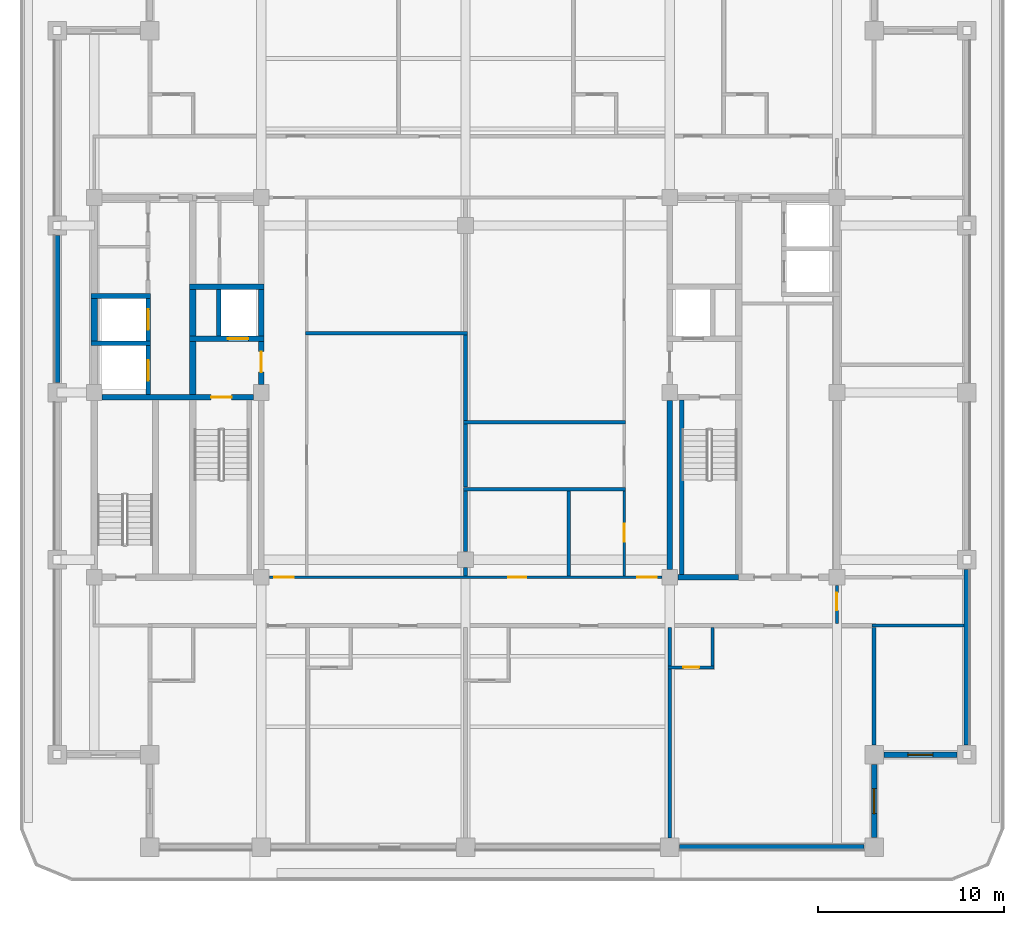
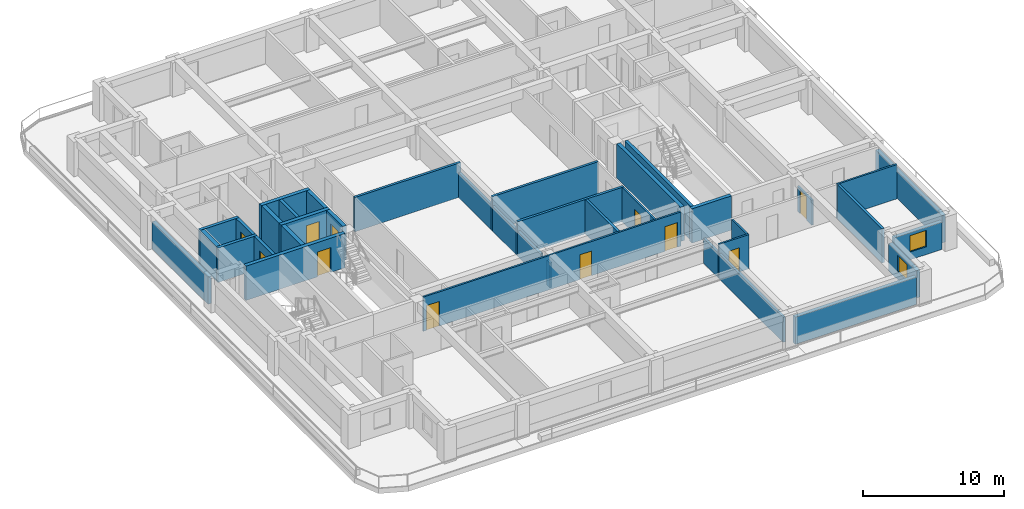
# One storey, part 3 of 13: 38 walls, 11 doors, 2 windows, 13 openings.
"""IFC4 building model written with IfcOpenShell, lengths in metres."""

from ifc_helpers import new_model, si_unit, direction, frame, frame_2d, origin, place, context, subcontext, project, spatial, rectangle, extrude, material, layer, layer_set, type_object, element, fill, save


model = new_model("IFC4")

# Units and contexts
model_context = context("Model", 3, precision=1e-05, world=origin(), true_north=direction((0.0, 1.0)))
body_context = subcontext(model_context, "Body", "Model", "MODEL_VIEW")
ifc_project = project(units=[si_unit("LENGTHUNIT", "METRE"), si_unit("AREAUNIT", "SQUARE_METRE"), si_unit("VOLUMEUNIT", "CUBIC_METRE"), si_unit("PLANEANGLEUNIT", "RADIAN"), si_unit("MASSUNIT", "GRAM", prefix="KILO")], contexts=[model_context])

# Site, building, storey
site_placement = place(None, origin())
site = spatial("IfcSite", under=ifc_project, at=site_placement, CompositionType="ELEMENT")
building_placement = place(site_placement, origin())
building = spatial("IfcBuilding", under=site, at=building_placement, Name="Zulmaris Gate Convention Tower", CompositionType="ELEMENT")
storey_placement = place(building_placement, frame((0.0, 0.0, 183.059814453125)))
storey = spatial("IfcBuildingStorey", under=building, at=storey_placement, Name="L47", CompositionType="ELEMENT", Elevation=183.059814453125)

# Walls
ifc_material_1 = material(Name="Concrete C50/60", Category="concrete")
ifc_layer_1 = layer(ifc_material_1, 0.25, Name="Concrete C50/60")
ifc_layer_set_1 = layer_set([ifc_layer_1], Name="Concrete C50/60")
wall_type_1 = type_object("IfcWallType", Name="CORE-250", PredefinedType="SOLIDWALL", material=ifc_layer_set_1)
for number, where, z_axis, x_axis, name in (
    (1, (-20.175048828125, 2.64990234375, 0.0), (0.0, 0.0, 1.0), (1.0, 0.0, 0.0), "WL-L47-007"),
    (2, (-20.175048828125, 5.199951171875, 0.0), (0.0, 0.0, 1.0), (1.0, 0.0, 0.0), "WL-L47-010"),
):
    element("IfcWall", number, at=place(storey_placement, frame(where, z_axis=z_axis, x_axis=x_axis)), inside=storey, type_object=wall_type_1, Name=name, PredefinedType="SOLIDWALL", context=body_context, shape_type="SweptSolid", body=[
        extrude(rectangle(XDim=3.199951171875, YDim=0.25, at=frame_2d((1.60009765625, 0.0))), origin(), (0.0, 0.0, 1.0), 2.97509765625),
    ])

# Wall, opening, door
wall_1_placement = place(storey_placement, frame((-17.10009765625, -0.097900390625, 0.0), z_axis=(0.0, 0.0, 1.0), x_axis=(0.0, 1.0, 0.0)))
wall_1 = element("IfcWall", 3, at=wall_1_placement, inside=storey, type_object=wall_type_1, Name="WL-L47-046", PredefinedType="SOLIDWALL", context=body_context, shape_type="SweptSolid", body=[
    extrude(rectangle(XDim=2.620849609375, YDim=0.25, at=frame_2d((1.310546875, 0.0))), origin(), (0.0, 0.0, 1.0), 2.97509765625),
])
opening_1_placement = place(wall_1_placement, frame((0.748046875, 0.0, 0.0)))
opening_1 = element("IfcOpeningElement", 4, at=opening_1_placement, cuts=wall_1, Name="Opening D-06", PredefinedType="OPENING", context=body_context, shape_type="SweptSolid", body=[
    extrude(rectangle(XDim=1.10009765625, YDim=2.199951171875, at=frame_2d((0.550048828125, 1.10009765625))), frame((0.0, 0.135009765625, 0.0), z_axis=(0.0, -1.0, 0.0), x_axis=(1.0, 0.0, 0.0)), (0.0, 0.0, 1.0), 0.27001953125),
])
ifc_material_2 = material(Name="Brushed Stainless Steel", Category="steel")
door_type_1 = type_object("IfcDoorType", Name="LD-1100", OperationType="NOTDEFINED", PredefinedType="DOOR", material=ifc_material_2)
door_1_placement = place(opening_1_placement, origin())
door_1 = element("IfcDoor", 5, at=door_1_placement, inside=storey, type_object=door_type_1, Name="L47 Lift Landing Door HP-03 11", OperationType="SLIDING_TO_LEFT", OverallHeight=2.199951171875, OverallWidth=1.10009765625, PredefinedType="DOOR", context=body_context, shape_type="SweptSolid", body=[
    extrude(rectangle(XDim=1.10009765625, YDim=2.199951171875, at=frame_2d((0.550048828125, 1.10009765625))), frame((0.0, 0.02490234375, 0.0), z_axis=(0.0, -1.0, 0.0), x_axis=(1.0, 0.0, 0.0)), (0.0, 0.0, 1.0), 0.050048828125),
])
fill(opening_1, door_1)

wall_2_placement = place(storey_placement, frame((-17.10009765625, 2.777099609375, 0.0), z_axis=(0.0, 0.0, 1.0), x_axis=(0.0, 1.0, 0.0)))
wall_2 = element("IfcWall", 6, at=wall_2_placement, inside=storey, type_object=wall_type_1, Name="WL-L47-047", PredefinedType="SOLIDWALL", context=body_context, shape_type="SweptSolid", body=[
    extrude(rectangle(XDim=2.2958984375, YDim=0.25, at=frame_2d((1.14794921875, 0.0))), origin(), (0.0, 0.0, 1.0), 2.97509765625),
])
opening_2_placement = place(wall_2_placement, frame((0.597900390625, 0.0, 0.0)))
opening_2 = element("IfcOpeningElement", 7, at=opening_2_placement, cuts=wall_2, Name="Opening D-06", PredefinedType="OPENING", context=body_context, shape_type="SweptSolid", body=[
    extrude(rectangle(XDim=1.10009765625, YDim=2.199951171875, at=frame_2d((0.550048828125, 1.10009765625))), frame((0.0, 0.135009765625, 0.0), z_axis=(0.0, -1.0, 0.0), x_axis=(1.0, 0.0, 0.0)), (0.0, 0.0, 1.0), 0.27001953125),
])
door_2_placement = place(opening_2_placement, origin())
door_2 = element("IfcDoor", 8, at=door_2_placement, inside=storey, type_object=door_type_1, Name="L47 Lift Landing Door HP-04 12", OperationType="SLIDING_TO_LEFT", OverallHeight=2.199951171875, OverallWidth=1.10009765625, PredefinedType="DOOR", context=body_context, shape_type="SweptSolid", body=[
    extrude(rectangle(XDim=1.10009765625, YDim=2.199951171875, at=frame_2d((0.550048828125, 1.10009765625))), frame((0.0, 0.02490234375, 0.0), z_axis=(0.0, -1.0, 0.0), x_axis=(1.0, 0.0, 0.0)), (0.0, 0.0, 1.0), 0.050048828125),
])
fill(opening_2, door_2)

# Walls
wall_3_placement = place(storey_placement, frame((-13.300048828125, 3.052001953125, 0.0), z_axis=(0.0, 0.0, 1.0), x_axis=(0.0, 1.0, 0.0)))
element("IfcWall", 9, at=wall_3_placement, inside=storey, type_object=wall_type_1, Name="WL-L47-053", PredefinedType="SOLIDWALL", context=body_context, shape_type="SweptSolid", body=[
    extrude(rectangle(XDim=2.49609375, YDim=0.25, at=frame_2d((1.248046875, 0.0))), origin(), (0.0, 0.0, 1.0), 2.97509765625),
])
wall_4_placement = place(storey_placement, frame((11.64990234375, -9.798095703125, 0.0), z_axis=(0.0, 0.0, 1.0), x_axis=(0.0, 1.0, 0.0)))
element("IfcWall", 10, at=wall_4_placement, inside=storey, type_object=wall_type_1, Name="WL-L47-063", PredefinedType="SOLIDWALL", context=body_context, shape_type="SweptSolid", body=[
    extrude(rectangle(XDim=9.39599609375, YDim=0.25, at=frame_2d((4.697998046875, 0.0))), origin(), (0.0, 0.0, 1.0), 2.97509765625),
])
ifc_layer_2 = layer(ifc_material_1, 0.300048828125, Name="Concrete C50/60")
ifc_layer_set_2 = layer_set([ifc_layer_2], Name="Concrete C50/60")
wall_type_2 = type_object("IfcWallType", Name="CORE-300", PredefinedType="SHEAR", material=ifc_layer_set_2)
wall_5_placement = place(storey_placement, frame((11.428955078125, -9.949951171875, 0.0), z_axis=(0.0, 0.0, 1.0), x_axis=(1.0, 0.0, 0.0)))
element("IfcWall", 11, at=wall_5_placement, inside=storey, type_object=wall_type_2, Name="WL-L47-003", PredefinedType="SHEAR", context=body_context, shape_type="SweptSolid", body=[
    extrude(rectangle(XDim=3.27099609375, YDim=0.300048828125, at=frame_2d((1.635498046875, 0.0))), origin(), (0.0, 0.0, 1.0), 2.97509765625),
])

# Wall, opening, door
wall_6_placement = place(storey_placement, frame((-19.571044921875, -0.25, 0.0), z_axis=(0.0, 0.0, 1.0), x_axis=(1.0, 0.0, 0.0)))
wall_6 = element("IfcWall", 12, at=wall_6_placement, inside=storey, type_object=wall_type_2, Name="WL-L47-005", PredefinedType="SHEAR", context=body_context, shape_type="SweptSolid", body=[
    extrude(rectangle(XDim=8.14208984375, YDim=0.300048828125, at=frame_2d((4.071044921875, 0.0))), origin(), (0.0, 0.0, 1.0), 2.97509765625),
])
opening_3_placement = place(wall_6_placement, frame((5.87109375, 0.0, 0.0)))
opening_3 = element("IfcOpeningElement", 13, at=opening_3_placement, cuts=wall_6, Name="Opening D-08", PredefinedType="OPENING", context=body_context, shape_type="SweptSolid", body=[
    extrude(rectangle(XDim=1.10009765625, YDim=2.14990234375, at=frame_2d((0.550048828125, 1.074951171875))), frame((0.0, 0.16015625, 0.0), z_axis=(0.0, -1.0, 0.0), x_axis=(1.0, 0.0, 0.0)), (0.0, 0.0, 1.0), 0.320068359375),
])
ifc_material_3 = material(Name="Fire-Rated Steel", Category="steel")
door_type_2 = type_object("IfcDoorType", Name="DR-1100-FD", OperationType="NOTDEFINED", PredefinedType="DOOR", material=ifc_material_3)
door_3_placement = place(opening_3_placement, origin())
door_3 = element("IfcDoor", 14, at=door_3_placement, inside=storey, type_object=door_type_2, Name="L47 Exit Stair ST-1 Door 01", OperationType="SINGLE_SWING_RIGHT", OverallHeight=2.14990234375, OverallWidth=1.10009765625, PredefinedType="DOOR", context=body_context, shape_type="SweptSolid", body=[
    extrude(rectangle(XDim=1.10009765625, YDim=2.14990234375, at=frame_2d((0.550048828125, 1.074951171875))), frame((0.0, 0.02490234375, 0.0), z_axis=(0.0, -1.0, 0.0), x_axis=(1.0, 0.0, 0.0)), (0.0, 0.0, 1.0), 0.050048828125),
])
fill(opening_3, door_3)

wall_7_placement = place(storey_placement, frame((-14.875, 2.89990234375, 0.0), z_axis=(0.0, 0.0, 1.0), x_axis=(1.0, 0.0, 0.0)))
wall_7 = element("IfcWall", 15, at=wall_7_placement, inside=storey, type_object=wall_type_2, Name="WL-L47-008", PredefinedType="SHEAR", context=body_context, shape_type="SweptSolid", body=[
    extrude(rectangle(XDim=4.02490234375, YDim=0.300048828125, at=frame_2d((2.012451171875, 0.0))), origin(), (0.0, 0.0, 1.0), 2.97509765625),
])
opening_4_placement = place(wall_7_placement, frame((2.074951171875, 0.0, 0.0)))
opening_4 = element("IfcOpeningElement", 16, at=opening_4_placement, cuts=wall_7, Name="Opening D-06", PredefinedType="OPENING", context=body_context, shape_type="SweptSolid", body=[
    extrude(rectangle(XDim=1.10009765625, YDim=2.199951171875, at=frame_2d((0.550048828125, 1.10009765625))), frame((0.0, 0.16015625, 0.0), z_axis=(0.0, -1.0, 0.0), x_axis=(1.0, 0.0, 0.0)), (0.0, 0.0, 1.0), 0.320068359375),
])
door_4_placement = place(opening_4_placement, origin())
door_4 = element("IfcDoor", 17, at=door_4_placement, inside=storey, type_object=door_type_1, Name="L47 Lift Landing Door LF-01 03", OperationType="SLIDING_TO_LEFT", OverallHeight=2.199951171875, OverallWidth=1.10009765625, PredefinedType="DOOR", context=body_context, shape_type="SweptSolid", body=[
    extrude(rectangle(XDim=1.10009765625, YDim=2.199951171875, at=frame_2d((0.550048828125, 1.10009765625))), frame((0.0, 0.02490234375, 0.0), z_axis=(0.0, -1.0, 0.0), x_axis=(1.0, 0.0, 0.0)), (0.0, 0.0, 1.0), 0.050048828125),
])
fill(opening_4, door_4)

# Wall
wall_8_placement = place(storey_placement, frame((-14.875, 5.699951171875, 0.0), z_axis=(0.0, 0.0, 1.0), x_axis=(1.0, 0.0, 0.0)))
element("IfcWall", 18, at=wall_8_placement, inside=storey, type_object=wall_type_2, Name="WL-L47-012", PredefinedType="SHEAR", context=body_context, shape_type="SweptSolid", body=[
    extrude(rectangle(XDim=4.02490234375, YDim=0.300048828125, at=frame_2d((2.012451171875, 0.0))), origin(), (0.0, 0.0, 1.0), 2.97509765625),
])

# Wall, opening, door
wall_9_placement = place(storey_placement, frame((-11.0, 0.428955078125, 0.0), z_axis=(0.0, 0.0, 1.0), x_axis=(0.0, 1.0, 0.0)))
wall_9 = element("IfcWall", 19, at=wall_9_placement, inside=storey, type_object=wall_type_2, Name="WL-L47-056", PredefinedType="SHEAR", context=body_context, shape_type="SweptSolid", body=[
    extrude(rectangle(XDim=2.319091796875, YDim=0.300048828125, at=frame_2d((1.15966796875, 0.0))), origin(), (0.0, 0.0, 1.0), 2.97509765625),
])
opening_5_placement = place(wall_9_placement, frame((0.6708984375, 0.0, 0.0)))
opening_5 = element("IfcOpeningElement", 20, at=opening_5_placement, cuts=wall_9, Name="Opening D-08", PredefinedType="OPENING", context=body_context, shape_type="SweptSolid", body=[
    extrude(rectangle(XDim=1.10009765625, YDim=2.14990234375, at=frame_2d((0.550048828125, 1.074951171875))), frame((0.0, 0.16015625, 0.0), z_axis=(0.0, -1.0, 0.0), x_axis=(1.0, 0.0, 0.0)), (0.0, 0.0, 1.0), 0.320068359375),
])
door_5_placement = place(opening_5_placement, origin())
door_5 = element("IfcDoor", 21, at=door_5_placement, inside=storey, type_object=door_type_2, Name="L47 West Firefighting Lobby Door 02", OperationType="SINGLE_SWING_LEFT", OverallHeight=2.14990234375, OverallWidth=1.10009765625, PredefinedType="DOOR", context=body_context, shape_type="SweptSolid", body=[
    extrude(rectangle(XDim=1.10009765625, YDim=2.14990234375, at=frame_2d((0.550048828125, 1.074951171875))), frame((0.0, 0.02490234375, 0.0), z_axis=(0.0, -1.0, 0.0), x_axis=(1.0, 0.0, 0.0)), (0.0, 0.0, 1.0), 0.050048828125),
])
fill(opening_5, door_5)

# Walls
wall_10_placement = place(storey_placement, frame((-11.0, 3.052001953125, 0.0), z_axis=(0.0, 0.0, 1.0), x_axis=(0.0, 1.0, 0.0)))
element("IfcWall", 22, at=wall_10_placement, inside=storey, type_object=wall_type_2, Name="WL-L47-057", PredefinedType="SHEAR", context=body_context, shape_type="SweptSolid", body=[
    extrude(rectangle(XDim=2.49609375, YDim=0.300048828125, at=frame_2d((1.248046875, 0.0))), origin(), (0.0, 0.0, 1.0), 2.97509765625),
])
wall_11_placement = place(storey_placement, frame((11.0, -9.52099609375, 0.0), z_axis=(0.0, 0.0, 1.0), x_axis=(0.0, 1.0, 0.0)))
element("IfcWall", 23, at=wall_11_placement, inside=storey, type_object=wall_type_2, Name="WL-L47-059", PredefinedType="SHEAR", context=body_context, shape_type="SweptSolid", body=[
    extrude(rectangle(XDim=9.092041015625, YDim=0.300048828125, at=frame_2d((4.5458984375, 0.0))), origin(), (0.0, 0.0, 1.0), 2.97509765625),
])
ifc_material_4 = material(Name="Concrete C55/67", Category="concrete")
ifc_layer_3 = layer(ifc_material_4, 0.35009765625, Name="Concrete C55/67")
ifc_layer_set_3 = layer_set([ifc_layer_3], Name="Concrete C55/67")
wall_type_3 = type_object("IfcWallType", Name="CORE-350", PredefinedType="SHEAR", material=ifc_layer_set_3)
wall_12_placement = place(storey_placement, frame((-20.0, 2.777099609375, 0.0), z_axis=(0.0, 0.0, 1.0), x_axis=(0.0, 1.0, 0.0)))
element("IfcWall", 24, at=wall_12_placement, inside=storey, type_object=wall_type_3, Name="WL-L47-044", PredefinedType="SHEAR", context=body_context, shape_type="SweptSolid", body=[
    extrude(rectangle(XDim=2.2958984375, YDim=0.35009765625, at=frame_2d((1.14794921875, 0.0))), origin(), (0.0, 0.0, 1.0), 2.97509765625),
])
wall_13_placement = place(storey_placement, frame((-14.699951171875, -0.097900390625, 0.0), z_axis=(0.0, 0.0, 1.0), x_axis=(0.0, 1.0, 0.0)))
element("IfcWall", 25, at=wall_13_placement, inside=storey, type_object=wall_type_3, Name="WL-L47-050", PredefinedType="SHEAR", context=body_context, shape_type="SweptSolid", body=[
    extrude(rectangle(XDim=2.845947265625, YDim=0.35009765625, at=frame_2d((1.4228515625, 0.0))), origin(), (0.0, 0.0, 1.0), 2.97509765625),
])
wall_14_placement = place(storey_placement, frame((-14.699951171875, 3.052001953125, 0.0), z_axis=(0.0, 0.0, 1.0), x_axis=(0.0, 1.0, 0.0)))
element("IfcWall", 26, at=wall_14_placement, inside=storey, type_object=wall_type_3, Name="WL-L47-051", PredefinedType="SHEAR", context=body_context, shape_type="SweptSolid", body=[
    extrude(rectangle(XDim=2.49609375, YDim=0.35009765625, at=frame_2d((1.248046875, 0.0))), origin(), (0.0, 0.0, 1.0), 2.97509765625),
])

# Wall, opening, door
ifc_material_5 = material(Name="Gypsum Metal Stud Partition")
ifc_layer_4 = layer(ifc_material_5, 0.14990234375, Name="Gypsum Metal Stud Partition")
ifc_layer_set_4 = layer_set([ifc_layer_4], Name="Gypsum Metal Stud Partition")
wall_type_4 = type_object("IfcWallType", Name="PART-150", PredefinedType="PARTITIONING", material=ifc_layer_set_4)
wall_15_placement = place(storey_placement, frame((10.89990234375, -14.800048828125, 0.0), z_axis=(0.0, 0.0, 1.0), x_axis=(1.0, 0.0, 0.0)))
wall_15 = element("IfcWall", 27, at=wall_15_placement, inside=storey, type_object=wall_type_4, Name="WL-L47-022", PredefinedType="PARTITIONING", context=body_context, shape_type="SweptSolid", body=[
    extrude(rectangle(XDim=2.47509765625, YDim=0.14990234375, at=frame_2d((1.237548828125, 0.0))), origin(), (0.0, 0.0, 1.0), 2.97509765625),
])
opening_6_placement = place(wall_15_placement, frame((0.824951171875, 0.0, 0.0)))
opening_6 = element("IfcOpeningElement", 28, at=opening_6_placement, cuts=wall_15, Name="Opening D-17", PredefinedType="OPENING", context=body_context, shape_type="SweptSolid", body=[
    extrude(rectangle(XDim=0.85009765625, YDim=2.10009765625, at=frame_2d((0.425048828125, 1.050048828125))), frame((0.0, 0.0849609375, 0.0), z_axis=(0.0, -1.0, 0.0), x_axis=(1.0, 0.0, 0.0)), (0.0, 0.0, 1.0), 0.169921875),
])
ifc_material_6 = material(Name="Moisture-Resistant Hardwood Timber", Category="wood")
door_type_3 = type_object("IfcDoorType", Name="DR-850", OperationType="NOTDEFINED", PredefinedType="DOOR", material=ifc_material_6)
door_6_placement = place(opening_6_placement, origin())
door_6 = element("IfcDoor", 29, at=door_6_placement, inside=storey, type_object=door_type_3, Name="L47 En-Suite Door 39", OperationType="SINGLE_SWING_RIGHT", OverallHeight=2.10009765625, OverallWidth=0.85009765625, PredefinedType="DOOR", context=body_context, shape_type="SweptSolid", body=[
    extrude(rectangle(XDim=0.85009765625, YDim=2.10009765625, at=frame_2d((0.425048828125, 1.050048828125))), frame((0.0, 0.02490234375, 0.0), z_axis=(0.0, -1.0, 0.0), x_axis=(1.0, 0.0, 0.0)), (0.0, 0.0, 1.0), 0.050048828125),
])
fill(opening_6, door_6)

# Wall
wall_16_placement = place(storey_placement, frame((21.89990234375, -12.550048828125, 0.0), z_axis=(0.0, 0.0, 1.0), x_axis=(1.0, 0.0, 0.0)))
element("IfcWall", 30, at=wall_16_placement, inside=storey, type_object=wall_type_4, Name="WL-L47-025", PredefinedType="PARTITIONING", context=body_context, shape_type="SweptSolid", body=[
    extrude(rectangle(XDim=4.93505859375, YDim=0.14990234375, at=frame_2d((2.467529296875, 0.0))), origin(), (0.0, 0.0, 1.0), 2.97509765625),
])

# Wall, openings, doors
wall_17_placement = place(storey_placement, frame((-10.569091796875, -9.949951171875, 0.0), z_axis=(0.0, 0.0, 1.0), x_axis=(1.0, 0.0, 0.0)))
wall_17 = element("IfcWall", 31, at=wall_17_placement, inside=storey, type_object=wall_type_4, Name="WL-L47-026", PredefinedType="PARTITIONING", context=body_context, shape_type="SweptSolid", body=[
    extrude(rectangle(XDim=21.13818359375, YDim=0.14990234375, at=frame_2d((10.569091796875, 0.0))), origin(), (0.0, 0.0, 1.0), 2.97509765625),
])
opening_7_placement = place(wall_17_placement, frame((0.263916015625, 0.0, 0.0)))
opening_7 = element("IfcOpeningElement", 32, at=opening_7_placement, cuts=wall_17, Name="Opening D-09", PredefinedType="OPENING", context=body_context, shape_type="SweptSolid", body=[
    extrude(rectangle(XDim=1.050048828125, YDim=2.14990234375, at=frame_2d((0.52490234375, 1.074951171875))), frame((0.0, 0.0849609375, 0.0), z_axis=(0.0, -1.0, 0.0), x_axis=(1.0, 0.0, 0.0)), (0.0, 0.0, 1.0), 0.169921875),
])
opening_8_placement = place(wall_17_placement, frame((19.823974609375, 0.0, 0.0)))
opening_8 = element("IfcOpeningElement", 33, at=opening_8_placement, cuts=wall_17, Name="Opening D-09", PredefinedType="OPENING", context=body_context, shape_type="SweptSolid", body=[
    extrude(rectangle(XDim=1.050048828125, YDim=2.14990234375, at=frame_2d((0.52490234375, 1.074951171875))), frame((0.0, 0.0849609375, 0.0), z_axis=(0.0, -1.0, 0.0), x_axis=(1.0, 0.0, 0.0)), (0.0, 0.0, 1.0), 0.169921875),
])
opening_9_placement = place(wall_17_placement, frame((12.8740234375, 0.0, 0.0)))
opening_9 = element("IfcOpeningElement", 34, at=opening_9_placement, cuts=wall_17, Name="Opening D-11", PredefinedType="OPENING", context=body_context, shape_type="SweptSolid", body=[
    extrude(rectangle(XDim=0.949951171875, YDim=2.14990234375, at=frame_2d((0.47509765625, 1.074951171875))), frame((0.0, 0.0849609375, 0.0), z_axis=(0.0, -1.0, 0.0), x_axis=(1.0, 0.0, 0.0)), (0.0, 0.0, 1.0), 0.169921875),
])
door_type_4 = type_object("IfcDoorType", Name="DR-1050-FD", OperationType="NOTDEFINED", PredefinedType="DOOR", material=ifc_material_3)
door_7_placement = place(opening_7_placement, origin())
door_7 = element("IfcDoor", 35, at=door_7_placement, inside=storey, type_object=door_type_4, Name="L47 SW Hotel Loop Door 22", OperationType="SINGLE_SWING_LEFT", OverallHeight=2.14990234375, OverallWidth=1.050048828125, PredefinedType="DOOR", context=body_context, shape_type="SweptSolid", body=[
    extrude(rectangle(XDim=1.050048828125, YDim=2.14990234375, at=frame_2d((0.52490234375, 1.074951171875))), frame((0.0, 0.02490234375, 0.0), z_axis=(0.0, -1.0, 0.0), x_axis=(1.0, 0.0, 0.0)), (0.0, 0.0, 1.0), 0.050048828125),
])
fill(opening_7, door_7)
door_8_placement = place(opening_8_placement, origin())
door_8 = element("IfcDoor", 36, at=door_8_placement, inside=storey, type_object=door_type_4, Name="L47 SE Hotel Loop Door 24", OperationType="SINGLE_SWING_LEFT", OverallHeight=2.14990234375, OverallWidth=1.050048828125, PredefinedType="DOOR", context=body_context, shape_type="SweptSolid", body=[
    extrude(rectangle(XDim=1.050048828125, YDim=2.14990234375, at=frame_2d((0.52490234375, 1.074951171875))), frame((0.0, 0.02490234375, 0.0), z_axis=(0.0, -1.0, 0.0), x_axis=(1.0, 0.0, 0.0)), (0.0, 0.0, 1.0), 0.050048828125),
])
fill(opening_8, door_8)
ifc_material_7 = material(Name="Fire-Rated Timber", Category="wood")
door_type_5 = type_object("IfcDoorType", Name="DR-950-FD", OperationType="NOTDEFINED", PredefinedType="DOOR", material=ifc_material_7)
door_9_placement = place(opening_9_placement, origin())
door_9 = element("IfcDoor", 37, at=door_9_placement, inside=storey, type_object=door_type_5, Name="L47 Staging Store Door 45", OperationType="SINGLE_SWING_RIGHT", OverallHeight=2.14990234375, OverallWidth=0.949951171875, PredefinedType="DOOR", context=body_context, shape_type="SweptSolid", body=[
    extrude(rectangle(XDim=0.949951171875, YDim=2.14990234375, at=frame_2d((0.47509765625, 1.074951171875))), frame((0.0, 0.02490234375, 0.0), z_axis=(0.0, -1.0, 0.0), x_axis=(1.0, 0.0, 0.0)), (0.0, 0.0, 1.0), 0.050048828125),
])
fill(opening_9, door_9)

# Wall, opening, door
wall_18_placement = place(storey_placement, frame((8.550048828125, -9.8720703125, 0.0), z_axis=(0.0, 0.0, 1.0), x_axis=(0.0, 1.0, 0.0)))
wall_18 = element("IfcWall", 38, at=wall_18_placement, inside=storey, type_object=wall_type_4, Name="WL-L47-102", PredefinedType="PARTITIONING", context=body_context, shape_type="SweptSolid", body=[
    extrude(rectangle(XDim=4.569091796875, YDim=0.14990234375, at=frame_2d((2.28466796875, 0.0))), origin(), (0.0, 0.0, 1.0), 2.97509765625),
])
opening_10_placement = place(wall_18_placement, frame((1.846923828125, 0.0, 0.0)))
opening_10 = element("IfcOpeningElement", 39, at=opening_10_placement, cuts=wall_18, Name="Opening D-11", PredefinedType="OPENING", context=body_context, shape_type="SweptSolid", body=[
    extrude(rectangle(XDim=0.949951171875, YDim=2.14990234375, at=frame_2d((0.47509765625, 1.074951171875))), frame((0.0, 0.0849609375, 0.0), z_axis=(0.0, -1.0, 0.0), x_axis=(1.0, 0.0, 0.0)), (0.0, 0.0, 1.0), 0.169921875),
])
door_10_placement = place(opening_10_placement, origin())
door_10 = element("IfcDoor", 40, at=door_10_placement, inside=storey, type_object=door_type_5, Name="L47 Accessible WC Door 44", OperationType="SINGLE_SWING_LEFT", OverallHeight=2.14990234375, OverallWidth=0.949951171875, PredefinedType="DOOR", context=body_context, shape_type="SweptSolid", body=[
    extrude(rectangle(XDim=0.949951171875, YDim=2.14990234375, at=frame_2d((0.47509765625, 1.074951171875))), frame((0.0, 0.02490234375, 0.0), z_axis=(0.0, -1.0, 0.0), x_axis=(1.0, 0.0, 0.0)), (0.0, 0.0, 1.0), 0.050048828125),
])
fill(opening_10, door_10)

# Wall
wall_19_placement = place(storey_placement, frame((13.300048828125, -14.721923828125, 0.0), z_axis=(0.0, 0.0, 1.0), x_axis=(0.0, 1.0, 0.0)))
element("IfcWall", 41, at=wall_19_placement, inside=storey, type_object=wall_type_4, Name="WL-L47-107", PredefinedType="PARTITIONING", context=body_context, shape_type="SweptSolid", body=[
    extrude(rectangle(XDim=2.06884765625, YDim=0.14990234375, at=frame_2d((1.034423828125, 0.0))), origin(), (0.0, 0.0, 1.0), 2.97509765625),
])

# Wall, opening, door
wall_20_placement = place(storey_placement, frame((20.0, -12.447021484375, 0.0), z_axis=(0.0, 0.0, 1.0), x_axis=(0.0, 1.0, 0.0)))
wall_20 = element("IfcWall", 42, at=wall_20_placement, inside=storey, type_object=wall_type_4, Name="WL-L47-112", PredefinedType="PARTITIONING", context=body_context, shape_type="SweptSolid", body=[
    extrude(rectangle(XDim=2.06591796875, YDim=0.14990234375, at=frame_2d((1.032958984375, 0.0))), origin(), (0.0, 0.0, 1.0), 2.167236328125),
])
opening_11_placement = place(wall_20_placement, frame((0.721923828125, 0.0, 0.0)))
opening_11 = element("IfcOpeningElement", 43, at=opening_11_placement, cuts=wall_20, Name="Opening D-25", PredefinedType="OPENING", context=body_context, shape_type="SweptSolid", body=[
    extrude(rectangle(XDim=0.949951171875, YDim=2.02001953125, at=frame_2d((0.47509765625, 1.010009765625))), frame((0.0, 0.0849609375, 0.0), z_axis=(0.0, -1.0, 0.0), x_axis=(1.0, 0.0, 0.0)), (0.0, 0.0, 1.0), 0.169921875),
])
door_type_6 = type_object("IfcDoorType", Name="DR-950-LOW-FD", OperationType="NOTDEFINED", PredefinedType="DOOR", material=ifc_material_3)
door_11_placement = place(opening_11_placement, origin())
door_11 = element("IfcDoor", 44, at=door_11_placement, inside=storey, type_object=door_type_6, Name="L47 SE Hotel Spur Door 47", OperationType="SINGLE_SWING_RIGHT", OverallHeight=2.02001953125, OverallWidth=0.949951171875, PredefinedType="DOOR", context=body_context, shape_type="SweptSolid", body=[
    extrude(rectangle(XDim=0.949951171875, YDim=2.02001953125, at=frame_2d((0.47509765625, 1.010009765625))), frame((0.0, 0.02490234375, 0.0), z_axis=(0.0, -1.0, 0.0), x_axis=(1.0, 0.0, 0.0)), (0.0, 0.0, 1.0), 0.050048828125),
])
fill(opening_11, door_11)

# Walls
ifc_material_8 = material(Name="Autoclaved Aerated Concrete Block and Plasterboard", Category="concrete")
ifc_layer_5 = layer(ifc_material_8, 0.199951171875, Name="Autoclaved Aerated Concrete Block and Plasterboard")
ifc_layer_set_5 = layer_set([ifc_layer_5], Name="Autoclaved Aerated Concrete Block and Plasterboard")
wall_type_5 = type_object("IfcWallType", Name="PART-200", PredefinedType="PARTITIONING", material=ifc_layer_set_5)
for number, where, z_axis, x_axis, name in (
    (45, (-0.10009765625, -5.199951171875, 0.0), (0.0, 0.0, 1.0), (1.0, 0.0, 0.0), "WL-L47-028"),
    (46, (-0.10009765625, -1.60009765625, 0.0), (0.0, 0.0, 1.0), (1.0, 0.0, 0.0), "WL-L47-029"),
    (47, (-8.625, 3.199951171875, 0.0), (0.0, 0.0, 1.0), (1.0, 0.0, 0.0), "WL-L47-031"),
):
    element("IfcWall", number, at=place(storey_placement, frame(where, z_axis=z_axis, x_axis=x_axis)), inside=storey, type_object=wall_type_5, Name=name, PredefinedType="PARTITIONING", context=body_context, shape_type="SweptSolid", body=[
        extrude(rectangle(XDim=8.72509765625, YDim=0.199951171875, at=frame_2d((4.362548828125, 0.0))), origin(), (0.0, 0.0, 1.0), 2.97509765625),
    ])
wall_21_placement = place(storey_placement, frame((0.0, -9.8720703125, 0.0), z_axis=(0.0, 0.0, 1.0), x_axis=(0.0, 1.0, 0.0)))
element("IfcWall", 48, at=wall_21_placement, inside=storey, type_object=wall_type_5, Name="WL-L47-093", PredefinedType="PARTITIONING", context=body_context, shape_type="SweptSolid", body=[
    extrude(rectangle(XDim=0.441162109375, YDim=0.199951171875, at=frame_2d((0.220703125, 0.0))), origin(), (0.0, 0.0, 1.0), 2.167236328125),
])
wall_22_placement = place(storey_placement, frame((0.0, -8.569091796875, 0.0), z_axis=(0.0, 0.0, 1.0), x_axis=(0.0, 1.0, 0.0)))
element("IfcWall", 49, at=wall_22_placement, inside=storey, type_object=wall_type_5, Name="WL-L47-093S1", PredefinedType="PARTITIONING", context=body_context, shape_type="SweptSolid", body=[
    extrude(rectangle(XDim=3.26611328125, YDim=0.199951171875, at=frame_2d((1.633056640625, 0.0))), origin(), (0.0, 0.0, 1.0), 2.167236328125),
])
wall_23_placement = place(storey_placement, frame((0.0, -5.096923828125, 0.0), z_axis=(0.0, 0.0, 1.0), x_axis=(0.0, 1.0, 0.0)))
element("IfcWall", 50, at=wall_23_placement, inside=storey, type_object=wall_type_5, Name="WL-L47-094", PredefinedType="PARTITIONING", context=body_context, shape_type="SweptSolid", body=[
    extrude(rectangle(XDim=3.39404296875, YDim=0.199951171875, at=frame_2d((1.697021484375, 0.0))), origin(), (0.0, 0.0, 1.0), 2.167236328125),
])
wall_24_placement = place(storey_placement, frame((0.0, -1.4970703125, 0.0), z_axis=(0.0, 0.0, 1.0), x_axis=(0.0, 1.0, 0.0)))
element("IfcWall", 51, at=wall_24_placement, inside=storey, type_object=wall_type_5, Name="WL-L47-095", PredefinedType="PARTITIONING", context=body_context, shape_type="SweptSolid", body=[
    extrude(rectangle(XDim=4.593994140625, YDim=0.199951171875, at=frame_2d((2.296875, 0.0))), origin(), (0.0, 0.0, 1.0), 2.167236328125),
])
wall_25_placement = place(storey_placement, frame((5.550048828125, -9.8720703125, 0.0), z_axis=(0.0, 0.0, 1.0), x_axis=(0.0, 1.0, 0.0)))
element("IfcWall", 52, at=wall_25_placement, inside=storey, type_object=wall_type_5, Name="WL-L47-098", PredefinedType="PARTITIONING", context=body_context, shape_type="SweptSolid", body=[
    extrude(rectangle(XDim=4.569091796875, YDim=0.199951171875, at=frame_2d((2.28466796875, 0.0))), origin(), (0.0, 0.0, 1.0), 2.97509765625),
])
wall_26_placement = place(storey_placement, frame((11.0, -23.993896484375, 0.0), z_axis=(0.0, 0.0, 1.0), x_axis=(0.0, 1.0, 0.0)))
element("IfcWall", 53, at=wall_26_placement, inside=storey, type_object=wall_type_5, Name="WL-L47-105", PredefinedType="PARTITIONING", context=body_context, shape_type="SweptSolid", body=[
    extrude(rectangle(XDim=9.115966796875, YDim=0.199951171875, at=frame_2d((4.55810546875, 0.0))), origin(), (0.0, 0.0, 1.0), 2.167236328125),
])
wall_27_placement = place(storey_placement, frame((11.0, -14.721923828125, 0.0), z_axis=(0.0, 0.0, 1.0), x_axis=(0.0, 1.0, 0.0)))
element("IfcWall", 54, at=wall_27_placement, inside=storey, type_object=wall_type_5, Name="WL-L47-106", PredefinedType="PARTITIONING", context=body_context, shape_type="SweptSolid", body=[
    extrude(rectangle(XDim=2.06884765625, YDim=0.199951171875, at=frame_2d((1.034423828125, 0.0))), origin(), (0.0, 0.0, 1.0), 2.167236328125),
])
wall_28_placement = place(storey_placement, frame((22.0, -18.993896484375, 0.0), z_axis=(0.0, 0.0, 1.0), x_axis=(0.0, 1.0, 0.0)))
element("IfcWall", 55, at=wall_28_placement, inside=storey, type_object=wall_type_5, Name="WL-L47-114", PredefinedType="PARTITIONING", context=body_context, shape_type="SweptSolid", body=[
    extrude(rectangle(XDim=6.3408203125, YDim=0.199951171875, at=frame_2d((3.17041015625, 0.0))), origin(), (0.0, 0.0, 1.0), 2.97509765625),
])

# Wall, opening, window
ifc_material_9 = material(Name="Precast concrete C40/50", Category="concrete")
ifc_layer_6 = layer(ifc_material_9, 0.300048828125, Name="Precast concrete C40/50")
ifc_layer_set_6 = layer_set([ifc_layer_6], Name="Precast concrete C40/50")
wall_type_6 = type_object("IfcWallType", Name="PRECAST-PIER-300", PredefinedType="STANDARD", material=ifc_layer_set_6)
wall_29_placement = place(storey_placement, frame((22.0, -23.969970703125, 0.0), z_axis=(0.0, 0.0, 1.0), x_axis=(0.0, 1.0, 0.0)))
wall_29 = element("IfcWall", 56, at=wall_29_placement, inside=storey, type_object=wall_type_6, Name="EW-L47-NOTCH-SE1_0", PredefinedType="STANDARD", context=body_context, shape_type="SweptSolid", body=[
    extrude(rectangle(XDim=3.93994140625, YDim=0.300048828125, at=frame_2d((1.969970703125, 0.0))), origin(), (0.0, 0.0, 1.0), 2.3671875),
])
opening_12_placement = place(wall_29_placement, frame((1.294921875, 0.0, 0.679931640625)))
opening_12 = element("IfcOpeningElement", 57, at=opening_12_placement, cuts=wall_29, Name="Opening W-10", PredefinedType="OPENING", context=body_context, shape_type="SweptSolid", body=[
    extrude(rectangle(XDim=1.35009765625, YDim=1.419921875, at=frame_2d((0.675048828125, 0.7099609375))), frame((0.0, 0.16015625, 0.0), z_axis=(0.0, -1.0, 0.0), x_axis=(1.0, 0.0, 0.0)), (0.0, 0.0, 1.0), 0.320068359375),
])
ifc_material_10 = material(Name="Low-E Laminated Double Glazing in Aluminium Frame", Category="aluminium")
window_type = type_object("IfcWindowType", Name="WIN-1350x2000", PartitioningType="SINGLE_PANEL", PredefinedType="WINDOW", material=ifc_material_10)
window_1_placement = place(opening_12_placement, origin())
window_1 = element("IfcWindow", 58, at=window_1_placement, inside=storey, type_object=window_type, Name="WN-EW-L47-NOTCH-SE1_0", OverallHeight=1.419921875, OverallWidth=1.35009765625, PartitioningType="SINGLE_PANEL", PredefinedType="WINDOW", context=body_context, shape_type="SweptSolid", body=[
    extrude(rectangle(XDim=1.35009765625, YDim=1.419921875, at=frame_2d((0.675048828125, 0.7099609375))), frame((0.0, 0.030029296875, 0.0), z_axis=(0.0, -1.0, 0.0), x_axis=(1.0, 0.0, 0.0)), (0.0, 0.0, 1.0), 0.06005859375),
])
fill(opening_12, window_1)

wall_30_placement = place(storey_placement, frame((22.530029296875, -19.5, 0.0), z_axis=(0.0, 0.0, 1.0), x_axis=(1.0, 0.0, 0.0)))
wall_30 = element("IfcWall", 59, at=wall_30_placement, inside=storey, type_object=wall_type_6, Name="EW-L47-NOTCH-SE2_0", PredefinedType="STANDARD", context=body_context, shape_type="SweptSolid", body=[
    extrude(rectangle(XDim=3.93994140625, YDim=0.300048828125, at=frame_2d((1.969970703125, 0.0))), origin(), (0.0, 0.0, 1.0), 2.3671875),
])
opening_13_placement = place(wall_30_placement, frame((1.294921875, 0.0, 0.679931640625)))
opening_13 = element("IfcOpeningElement", 60, at=opening_13_placement, cuts=wall_30, Name="Opening W-10", PredefinedType="OPENING", context=body_context, shape_type="SweptSolid", body=[
    extrude(rectangle(XDim=1.35009765625, YDim=1.419921875, at=frame_2d((0.675048828125, 0.7099609375))), frame((0.0, 0.16015625, 0.0), z_axis=(0.0, -1.0, 0.0), x_axis=(1.0, 0.0, 0.0)), (0.0, 0.0, 1.0), 0.320068359375),
])
window_2_placement = place(opening_13_placement, origin())
window_2 = element("IfcWindow", 61, at=window_2_placement, inside=storey, type_object=window_type, Name="WN-EW-L47-NOTCH-SE2_0", OverallHeight=1.419921875, OverallWidth=1.35009765625, PartitioningType="SINGLE_PANEL", PredefinedType="WINDOW", context=body_context, shape_type="SweptSolid", body=[
    extrude(rectangle(XDim=1.35009765625, YDim=1.419921875, at=frame_2d((0.675048828125, 0.7099609375))), frame((0.0, 0.030029296875, 0.0), z_axis=(0.0, -1.0, 0.0), x_axis=(1.0, 0.0, 0.0)), (0.0, 0.0, 1.0), 0.06005859375),
])
fill(opening_13, window_2)

# Walls
wall_31_placement = place(storey_placement, frame((11.530029296875, -24.5, 0.0), z_axis=(0.0, 0.0, 1.0), x_axis=(1.0, 0.0, 0.0)))
element("IfcWall", 62, at=wall_31_placement, inside=storey, type_object=wall_type_6, Name="EW-L47-S-3_0", PredefinedType="STANDARD", context=body_context, shape_type="SweptSolid", body=[
    extrude(rectangle(XDim=9.93994140625, YDim=0.300048828125, at=frame_2d((4.969970703125, 0.0))), origin(), (0.0, 0.0, 1.0), 2.3671875),
])
wall_32_placement = place(storey_placement, frame((27.0, -18.969970703125, 0.0), z_axis=(0.0, 0.0, 1.0), x_axis=(0.0, 1.0, 0.0)))
element("IfcWall", 63, at=wall_32_placement, inside=storey, type_object=wall_type_6, Name="EW-L47-E-0_0", PredefinedType="STANDARD", context=body_context, shape_type="SweptSolid", body=[
    extrude(rectangle(XDim=9.43994140625, YDim=0.300048828125, at=frame_2d((4.719970703125, 0.0))), origin(), (0.0, 0.0, 1.0), 2.3671875),
])
wall_33_placement = place(storey_placement, frame((-22.0, 8.469970703125, 0.0), z_axis=(0.0, 0.0, 1.0), x_axis=(0.0, -1.0, 0.0)))
element("IfcWall", 64, at=wall_33_placement, inside=storey, type_object=wall_type_6, Name="EW-L47-W-2_0", PredefinedType="STANDARD", context=body_context, shape_type="SweptSolid", body=[
    extrude(rectangle(XDim=7.93994140625, YDim=0.300048828125, at=frame_2d((3.969970703125, 0.0))), origin(), (0.0, 0.0, 1.0), 2.3671875),
])

save(model, "model.ifc")
